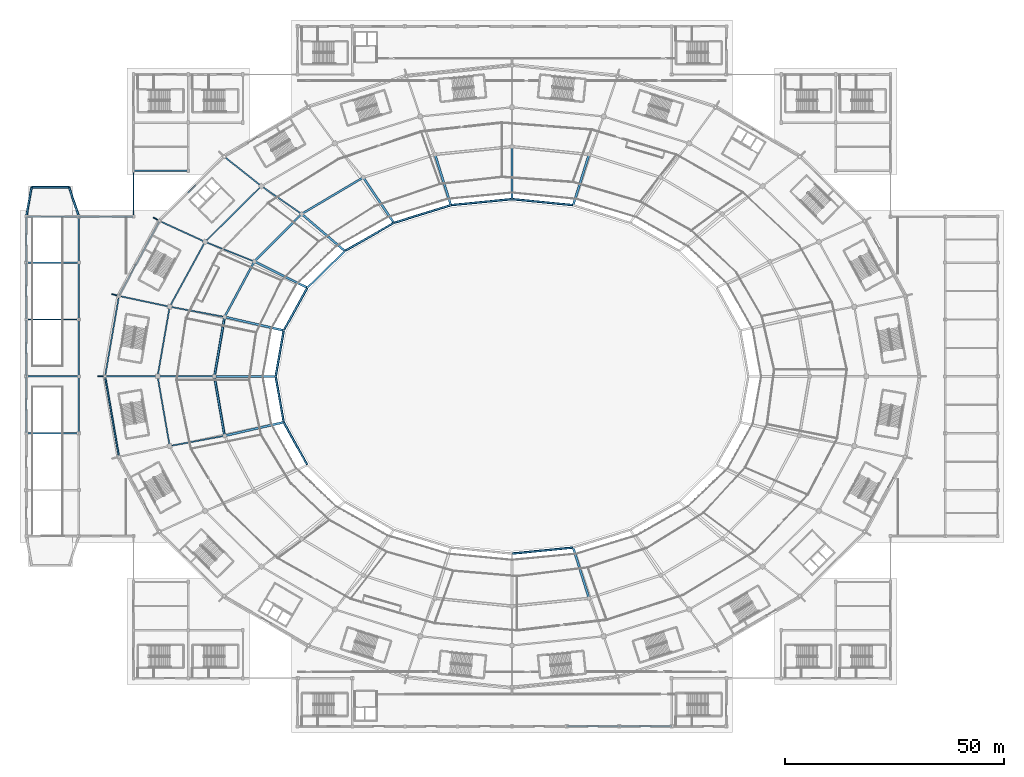
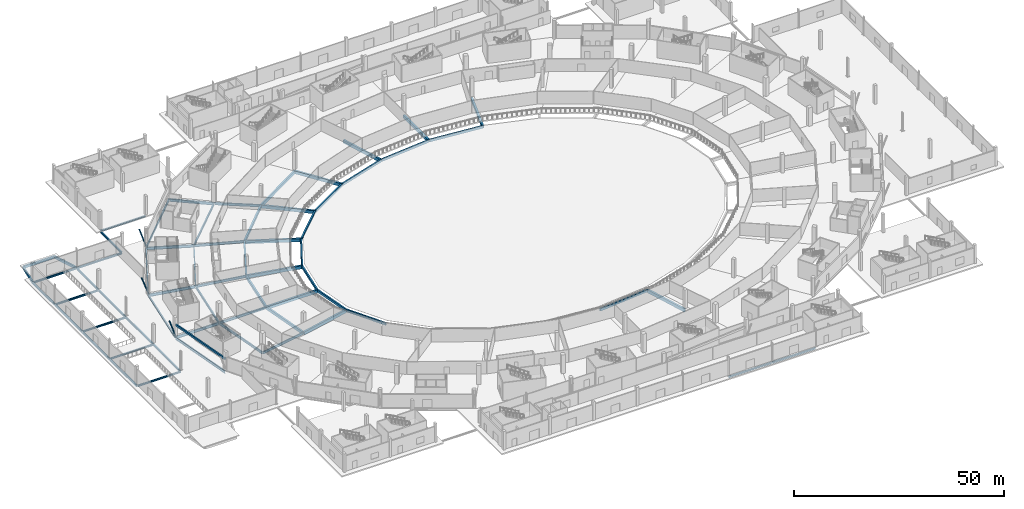
# One storey, part 24 of 82: 64 beams, 3 members.
"""IFC4 building model written with IfcOpenShell, lengths in metres."""

from ifc_helpers import new_model, si_unit, direction, frame, origin, origin_2d, place, context, subcontext, project, spatial, rectangle, hollow_circle, i_section, extrude, material, material_profile, profile_set, type_object, element, save


model = new_model("IFC4")

# Units and contexts
model_context = context("Model", 3, precision=1e-05, world=origin(), true_north=direction((0.0, 1.0)))
body_context = subcontext(model_context, "Body", "Model", "MODEL_VIEW")
ifc_project = project(units=[si_unit("LENGTHUNIT", "METRE"), si_unit("AREAUNIT", "SQUARE_METRE"), si_unit("VOLUMEUNIT", "CUBIC_METRE"), si_unit("PLANEANGLEUNIT", "RADIAN"), si_unit("MASSUNIT", "GRAM", prefix="KILO")], contexts=[model_context])

# Site, building, storey
site_placement = place(None, origin())
site = spatial("IfcSite", under=ifc_project, at=site_placement, CompositionType="ELEMENT")
building_placement = place(site_placement, origin())
building = spatial("IfcBuilding", under=site, at=building_placement, Name="Zlatoyarsky Gate Stadium", CompositionType="ELEMENT")
storey_placement = place(building_placement, origin())
storey = spatial("IfcBuildingStorey", under=building, at=storey_placement, Name="L00", CompositionType="ELEMENT", Elevation=0.0)

# Beams
ifc_material_1 = material(Name="Concrete C40/50", Category="concrete")
ifc_material_profile_1 = material_profile(ifc_material_1, rectangle(XDim=0.39990234375, YDim=0.699951171875, at=origin_2d()), Name="RC BEAM 400X700")
ifc_profile_set_1 = profile_set([ifc_material_profile_1], Name="Concrete C40/50")
beam_type_1 = type_object("IfcBeamType", Name="CONCRETE FLOOR BEAM 400X700", PredefinedType="BEAM", material=ifc_profile_set_1)
beam_1_placement = place(storey_placement, frame((1.199951171875, 123.199951171875, -0.590087890625), z_axis=(-0.176293394465, -0.984337665168, 0.0), x_axis=(0.984337665168, -0.176293394465, 0.0)))
element("IfcBeam", 1, at=beam_1_placement, inside=storey, type_object=beam_type_1, Name="Apron support beam BM-APR-N1", PredefinedType="BEAM", context=body_context, shape_type="SweptSolid", body=[
    extrude(rectangle(XDim=0.39990234375, YDim=0.699951171875, at=origin_2d()), origin(), (0.0, 0.0, 1.0), 6.806640625),
])
beam_2_placement = place(storey_placement, frame((9.800048828125, 123.199951171875, -0.590087890625), z_axis=(0.311966246218, -0.950093185546, 0.0), x_axis=(0.950093185546, 0.311966246218, 0.0)))
element("IfcBeam", 2, at=beam_2_placement, inside=storey, type_object=beam_type_1, Name="Apron support beam BM-APR-N2", PredefinedType="BEAM", context=body_context, shape_type="SweptSolid", body=[
    extrude(rectangle(XDim=0.39990234375, YDim=0.699951171875, at=origin_2d()), origin(), (0.0, 0.0, 1.0), 7.052001953125),
])
beam_3_placement = place(storey_placement, frame((1.199951171875, 123.199951171875, -0.590087890625), z_axis=(1.0, 0.0, 0.0), x_axis=(0.0, 1.0, 0.0)))
element("IfcBeam", 3, at=beam_3_placement, inside=storey, type_object=beam_type_1, Name="Apron support beam BM-APR-N12", PredefinedType="BEAM", context=body_context, shape_type="SweptSolid", body=[
    extrude(rectangle(XDim=0.39990234375, YDim=0.699951171875, at=origin_2d()), origin(), (0.0, 0.0, 1.0), 8.60009765625),
])
for number, where, z_axis, x_axis, name in (
    (4, (124.856689453125, 119.1318359375, -0.699951171875), (-0.995160395529, 0.098263865031, 0.0), (-0.098263865031, -0.995160395529, 0.0), "Beam B-RC70 BM-L00-CR0-05"),
    (5, (110.880615234375, 120.48828125, -0.699951171875), (-0.995160395529, -0.098263865031, 0.0), (0.098263865031, -0.995160395529, 0.0), "Beam B-RC70 BM-L00-CR0-06"),
):
    element("IfcBeam", number, at=place(storey_placement, frame(where, z_axis=z_axis, x_axis=x_axis)), inside=storey, type_object=beam_type_1, Name=name, PredefinedType="BEAM", context=body_context, shape_type="SweptSolid", body=[
        extrude(rectangle(XDim=0.39990234375, YDim=0.699951171875, at=origin_2d()), origin(), (0.0, 0.0, 1.0), 13.80419921875),
    ])
beam_4_placement = place(storey_placement, frame((96.9091796875, 119.08447265625, -0.699951171875), z_axis=(-0.954977648824, -0.29667775489, 0.0), x_axis=(0.29667775489, -0.954977648824, 0.0)))
element("IfcBeam", 6, at=beam_4_placement, inside=storey, type_object=beam_type_1, Name="Beam B-RC70 BM-L00-CR0-07", PredefinedType="BEAM", context=body_context, shape_type="SweptSolid", body=[
    extrude(rectangle(XDim=0.39990234375, YDim=0.699951171875, at=origin_2d()), origin(), (0.0, 0.0, 1.0), 13.39794921875),
])
beam_5_placement = place(storey_placement, frame((83.89599609375, 115.01416015625, -0.699951171875), z_axis=(-0.866725255288, -0.498785857704, 0.0), x_axis=(0.498785857704, -0.866725255288, 0.0)))
element("IfcBeam", 7, at=beam_5_placement, inside=storey, type_object=beam_type_1, Name="Beam B-RC70 BM-L00-CR0-08", PredefinedType="BEAM", context=body_context, shape_type="SweptSolid", body=[
    extrude(rectangle(XDim=0.39990234375, YDim=0.699951171875, at=origin_2d()), origin(), (0.0, 0.0, 1.0), 12.66357421875),
])
beam_6_placement = place(storey_placement, frame((72.73046875, 108.553955078125, -0.699951171875), z_axis=(-0.715146635204, -0.698974456011, 0.0), x_axis=(0.698974456011, -0.715146635204, 0.0)))
element("IfcBeam", 8, at=beam_6_placement, inside=storey, type_object=beam_type_1, Name="Beam B-RC70 BM-L00-CR0-09", PredefinedType="BEAM", context=body_context, shape_type="SweptSolid", body=[
    extrude(rectangle(XDim=0.39990234375, YDim=0.699951171875, at=origin_2d()), origin(), (0.0, 0.0, 1.0), 11.760009765625),
])
beam_7_placement = place(storey_placement, frame((64.176513671875, 100.14501953125, -0.699951171875), z_axis=(-0.483446740192, -0.875373776965, 0.0), x_axis=(0.875373776965, -0.483446740192, 0.0)))
element("IfcBeam", 9, at=beam_7_placement, inside=storey, type_object=beam_type_1, Name="Beam B-RC70 BM-L00-CR0-10", PredefinedType="BEAM", context=body_context, shape_type="SweptSolid", body=[
    extrude(rectangle(XDim=0.39990234375, YDim=0.699951171875, at=origin_2d()), origin(), (0.0, 0.0, 1.0), 10.918701171875),
])
for number, where, z_axis, x_axis, name in (
    (10, (58.8193359375, 90.364013671875, -0.699951171875), (-0.172898939935, -0.984939570009, 0.0), (0.984939570009, -0.172898939935, 0.0), "Beam B-RC70 BM-L00-CR0-11"),
    (11, (57.020751953125, 79.8818359375, -0.699951171875), (0.172898939935, -0.984939570009, 0.0), (0.984939570009, 0.172898939935, 0.0), "Beam B-RC70 BM-L00-CR0-12"),
):
    element("IfcBeam", number, at=place(storey_placement, frame(where, z_axis=z_axis, x_axis=x_axis)), inside=storey, type_object=beam_type_1, Name=name, PredefinedType="BEAM", context=body_context, shape_type="SweptSolid", body=[
        extrude(rectangle(XDim=0.39990234375, YDim=0.699951171875, at=origin_2d()), origin(), (0.0, 0.0, 1.0), 10.402587890625),
    ])
beam_8_placement = place(storey_placement, frame((58.89794921875, 69.412841796875, -0.699951171875), z_axis=(0.483446740192, -0.875373776965, 0.0), x_axis=(0.875373776965, 0.483446740192, 0.0)))
element("IfcBeam", 12, at=beam_8_placement, inside=storey, type_object=beam_type_1, Name="Beam B-RC70 BM-L00-CR0-13", PredefinedType="BEAM", context=body_context, shape_type="SweptSolid", body=[
    extrude(rectangle(XDim=0.39990234375, YDim=0.699951171875, at=origin_2d()), origin(), (0.0, 0.0, 1.0), 10.918701171875),
])
beam_9_placement = place(storey_placement, frame((111.119384765625, 39.51171875, -0.699951171875), z_axis=(0.995160395529, 0.098263865031, 0.0), x_axis=(-0.098263865031, 0.995160395529, 0.0)))
element("IfcBeam", 13, at=beam_9_placement, inside=storey, type_object=beam_type_1, Name="Beam B-RC70 BM-L00-CR0-18", PredefinedType="BEAM", context=body_context, shape_type="SweptSolid", body=[
    extrude(rectangle(XDim=0.39990234375, YDim=0.699951171875, at=origin_2d()), origin(), (0.0, 0.0, 1.0), 13.80419921875),
])
ifc_material_profile_2 = material_profile(ifc_material_1, rectangle(XDim=0.449951171875, YDim=0.800048828125, at=origin_2d()), Name="RC BEAM 450X800")
ifc_profile_set_2 = profile_set([ifc_material_profile_2], Name="Concrete C40/50")
beam_type_2 = type_object("IfcBeamType", Name="CONCRETE FLOOR BEAM 450X800", PredefinedType="BEAM", material=ifc_profile_set_2)
beam_10_placement = place(storey_placement, frame((76.896728515625, 125.405029296875, -0.75), z_axis=(-0.860360371321, -0.50968620882, 0.0), x_axis=(0.50968620882, -0.860360371321, 0.0)))
element("IfcBeam", 14, at=beam_10_placement, inside=storey, type_object=beam_type_2, Name="Beam B-RC80 BM-L00-CRA-08", PredefinedType="BEAM", context=body_context, shape_type="SweptSolid", body=[
    extrude(rectangle(XDim=0.449951171875, YDim=0.800048828125, at=origin_2d()), origin(), (0.0, 0.0, 1.0), 16.12890625),
])
beam_11_placement = place(storey_placement, frame((62.83203125, 117.0380859375, -0.75), z_axis=(-0.704927331607, -0.709279533861, 0.0), x_axis=(0.709279533861, -0.704927331607, 0.0)))
element("IfcBeam", 15, at=beam_11_placement, inside=storey, type_object=beam_type_2, Name="Beam B-RC80 BM-L00-CRA-09", PredefinedType="BEAM", context=body_context, shape_type="SweptSolid", body=[
    extrude(rectangle(XDim=0.449951171875, YDim=0.800048828125, at=origin_2d()), origin(), (0.0, 0.0, 1.0), 15.08984375),
])
beam_12_placement = place(storey_placement, frame((52.0537109375, 106.144287109375, -0.75), z_axis=(-0.472766984781, -0.881187481812, 0.0), x_axis=(0.881187481812, -0.472766984781, 0.0)))
element("IfcBeam", 16, at=beam_12_placement, inside=storey, type_object=beam_type_2, Name="Beam B-RC80 BM-L00-CRA-10", PredefinedType="BEAM", context=body_context, shape_type="SweptSolid", body=[
    extrude(rectangle(XDim=0.449951171875, YDim=0.800048828125, at=origin_2d()), origin(), (0.0, 0.0, 1.0), 14.12939453125),
])
for number, where, z_axis, x_axis, name in (
    (17, (45.296875, 93.4697265625, -0.75), (-0.168089694981, -0.985771705032, 0.0), (0.985771705032, -0.168089694981, 0.0), "Beam B-RC80 BM-L00-CRA-11"),
    (18, (43.020263671875, 79.881591796875, -0.75), (0.168089694981, -0.985771705032, 0.0), (0.985771705032, 0.168089694981, 0.0), "Beam B-RC80 BM-L00-CRA-12"),
):
    element("IfcBeam", number, at=place(storey_placement, frame(where, z_axis=z_axis, x_axis=x_axis)), inside=storey, type_object=beam_type_2, Name=name, PredefinedType="BEAM", context=body_context, shape_type="SweptSolid", body=[
        extrude(rectangle(XDim=0.449951171875, YDim=0.800048828125, at=origin_2d()), origin(), (0.0, 0.0, 1.0), 13.5439453125),
    ])
ifc_material_profile_3 = material_profile(ifc_material_1, rectangle(XDim=0.35009765625, YDim=0.550048828125, at=origin_2d()), Name="RC LINTEL 350X550")
ifc_profile_set_3 = profile_set([ifc_material_profile_3], Name="Concrete C40/50")
beam_type_3 = type_object("IfcBeamType", Name="CONCRETE OPENING LINTEL 350X550", PredefinedType="LINTEL", material=ifc_profile_set_3)
beam_13_placement = place(storey_placement, frame((18.0205078125, 79.881591796875, 3.125), z_axis=(0.169930456666, -0.985456056807, 0.0), x_axis=(0.985456056807, 0.169930456666, 0.0)))
element("IfcBeam", 19, at=beam_13_placement, inside=storey, type_object=beam_type_3, Name="Beam LN-RC55 BM-L00-LNT-12", PredefinedType="LINTEL", context=body_context, shape_type="SweptSolid", body=[
    extrude(rectangle(XDim=0.35009765625, YDim=0.550048828125, at=origin_2d()), origin(), (0.0, 0.0, 1.0), 18.4072265625),
])
ifc_material_profile_4 = material_profile(ifc_material_1, rectangle(XDim=0.5, YDim=0.89990234375, at=origin_2d()), Name="RC GIRDER 500X900")
ifc_profile_set_4 = profile_set([ifc_material_profile_4], Name="Concrete C40/50")
beam_type_4 = type_object("IfcBeamType", Name="CONCRETE PRIMARY GIRDER 500X900", PredefinedType="T_BEAM", material=ifc_profile_set_4)
beam_14_placement = place(storey_placement, frame((125.011962890625, 119.234619140625, -0.800048828125), z_axis=(0.298378920826, 0.954447494421, 0.0), x_axis=(-0.954447494421, 0.298378920826, 0.0)))
element("IfcBeam", 20, at=beam_14_placement, inside=storey, type_object=beam_type_4, Name="Beam G-RC90 BM-L00-R0A-05", PredefinedType="T_BEAM", context=body_context, shape_type="SweptSolid", body=[
    extrude(rectangle(XDim=0.5, YDim=0.89990234375, at=origin_2d()), origin(), (0.0, 0.0, 1.0), 11.904296875),
])
beam_15_placement = place(storey_placement, frame((111.0, 120.6201171875, -0.800048828125), z_axis=(0.0, 1.0, 0.0), x_axis=(-1.0, 0.0, 0.0)))
element("IfcBeam", 21, at=beam_15_placement, inside=storey, type_object=beam_type_4, Name="Beam G-RC90 BM-L00-R0A-06", PredefinedType="T_BEAM", context=body_context, shape_type="SweptSolid", body=[
    extrude(rectangle(XDim=0.5, YDim=0.89990234375, at=origin_2d()), origin(), (0.0, 0.0, 1.0), 11.759765625),
])
beam_16_placement = place(storey_placement, frame((96.988037109375, 119.234619140625, -0.800048828125), z_axis=(-0.298378920826, 0.954447494421, 0.0), x_axis=(-0.954447494421, -0.298378920826, 0.0)))
element("IfcBeam", 22, at=beam_16_placement, inside=storey, type_object=beam_type_4, Name="Beam G-RC90 BM-L00-R0A-07", PredefinedType="T_BEAM", context=body_context, shape_type="SweptSolid", body=[
    extrude(rectangle(XDim=0.5, YDim=0.89990234375, at=origin_2d()), origin(), (0.0, 0.0, 1.0), 11.904296875),
])
beam_17_placement = place(storey_placement, frame((83.93310546875, 115.173583984375, -0.800048828125), z_axis=(-0.558682096313, 0.829381887468, 0.0), x_axis=(-0.829381887468, -0.558682096313, 0.0)))
element("IfcBeam", 23, at=beam_17_placement, inside=storey, type_object=beam_type_4, Name="Beam G-RC90 BM-L00-R0A-08", PredefinedType="T_BEAM", context=body_context, shape_type="SweptSolid", body=[
    extrude(rectangle(XDim=0.5, YDim=0.89990234375, at=origin_2d()), origin(), (0.0, 0.0, 1.0), 12.2900390625),
])
beam_18_placement = place(storey_placement, frame((72.72509765625, 108.7158203125, -0.800048828125), z_axis=(-0.759256602365, 0.650791373456, 0.0), x_axis=(-0.650791373456, -0.759256602365, 0.0)))
element("IfcBeam", 24, at=beam_18_placement, inside=storey, type_object=beam_type_4, Name="Beam G-RC90 BM-L00-R0A-09", PredefinedType="T_BEAM", context=body_context, shape_type="SweptSolid", body=[
    extrude(rectangle(XDim=0.5, YDim=0.89990234375, at=origin_2d()), origin(), (0.0, 0.0, 1.0), 12.79833984375),
])
beam_19_placement = place(storey_placement, frame((64.126953125, 100.30322265625, -0.800048828125), z_axis=(-0.896253372987, 0.443542434734, 0.0), x_axis=(-0.443542434734, -0.896253372987, 0.0)))
element("IfcBeam", 25, at=beam_19_placement, inside=storey, type_object=beam_type_4, Name="Beam G-RC90 BM-L00-R0A-10", PredefinedType="T_BEAM", context=body_context, shape_type="SweptSolid", body=[
    extrude(rectangle(XDim=0.5, YDim=0.89990234375, at=origin_2d()), origin(), (0.0, 0.0, 1.0), 13.287353515625),
])
beam_20_placement = place(storey_placement, frame((58.722900390625, 90.509033203125, -0.800048828125), z_axis=(-0.974626051555, 0.223839361219, 0.0), x_axis=(-0.223839361219, -0.974626051555, 0.0)))
element("IfcBeam", 26, at=beam_20_placement, inside=storey, type_object=beam_type_4, Name="Beam G-RC90 BM-L00-R0A-11", PredefinedType="T_BEAM", context=body_context, shape_type="SweptSolid", body=[
    extrude(rectangle(XDim=0.5, YDim=0.89990234375, at=origin_2d()), origin(), (0.0, 0.0, 1.0), 13.634765625),
])
beam_21_placement = place(storey_placement, frame((56.8798828125, 80.0, -0.800048828125), z_axis=(-1.0, 0.0, 0.0), x_axis=(0.0, -1.0, 0.0)))
element("IfcBeam", 27, at=beam_21_placement, inside=storey, type_object=beam_type_4, Name="Beam G-RC90 BM-L00-R0A-12", PredefinedType="T_BEAM", context=body_context, shape_type="SweptSolid", body=[
    extrude(rectangle(XDim=0.5, YDim=0.89990234375, at=origin_2d()), origin(), (0.0, 0.0, 1.0), 13.759765625),
])
beam_22_placement = place(storey_placement, frame((58.722900390625, 69.490966796875, -0.800048828125), z_axis=(-0.974626051555, -0.223839361219, 0.0), x_axis=(0.223839361219, -0.974626051555, 0.0)))
element("IfcBeam", 28, at=beam_22_placement, inside=storey, type_object=beam_type_4, Name="Beam G-RC90 BM-L00-R0A-13", PredefinedType="T_BEAM", context=body_context, shape_type="SweptSolid", body=[
    extrude(rectangle(XDim=0.5, YDim=0.89990234375, at=origin_2d()), origin(), (0.0, 0.0, 1.0), 13.634765625),
])
beam_23_placement = place(storey_placement, frame((125.011962890625, 40.765380859375, -0.800048828125), z_axis=(0.298378920826, -0.954447494421, 0.0), x_axis=(0.954447494421, 0.298378920826, 0.0)))
element("IfcBeam", 29, at=beam_23_placement, inside=storey, type_object=beam_type_4, Name="Beam G-RC90 BM-L00-R0A-19", PredefinedType="T_BEAM", context=body_context, shape_type="SweptSolid", body=[
    extrude(rectangle(XDim=0.5, YDim=0.89990234375, at=origin_2d()), origin(), (0.0, 0.0, 1.0), 11.904296875),
])

# Members
ifc_material_2 = material(Name="Steel S355", Category="steel")
ifc_material_profile_5 = material_profile(ifc_material_2, hollow_circle(Radius=0.177734375, WallThickness=0.02001953125, at=origin_2d()), Name="CHS 355.6X20")
ifc_profile_set_5 = profile_set([ifc_material_profile_5], Name="Steel S355")
member_type = type_object("IfcMemberType", Name="STEEL LEANING RIB RING STRUT CHS 355.6X20", PredefinedType="STRUT", material=ifc_profile_set_5)
member_1_placement = place(storey_placement, frame((30.459716796875, 115.5, 0.0), z_axis=(-0.275179339945, 0.158857473848, 0.948177532886), x_axis=(-0.499958946799, -0.866049104564, 0.0)))
element("IfcMember", 30, at=member_1_placement, inside=storey, type_object=member_type, Name="Leaning ring strut 10 L00 to L01", PredefinedType="STRUT", context=body_context, shape_type="SweptSolid", body=[
    extrude(hollow_circle(Radius=0.177734375, WallThickness=0.02001953125, at=origin_2d()), origin(), (0.0, 0.0, 1.0), 5.0625),
])
member_2_placement = place(storey_placement, frame((21.1689453125, 98.376220703125, 0.0), z_axis=(-0.31638694049, 0.084764257312, 0.944835607167), x_axis=(-0.258786663494, -0.965934502333, 0.0)))
element("IfcMember", 31, at=member_2_placement, inside=storey, type_object=member_type, Name="Leaning ring strut 11 L00 to L01", PredefinedType="STRUT", context=body_context, shape_type="SweptSolid", body=[
    extrude(hollow_circle(Radius=0.177734375, WallThickness=0.02001953125, at=origin_2d()), origin(), (0.0, 0.0, 1.0), 4.910888671875),
])
member_3_placement = place(storey_placement, frame((18.0, 80.0, 0.0), z_axis=(-0.327525462718, 0.0, 0.944842352603), x_axis=(0.0, -1.0, 0.0)))
element("IfcMember", 32, at=member_3_placement, inside=storey, type_object=member_type, Name="Leaning ring strut 12 L00 to L01", PredefinedType="STRUT", context=body_context, shape_type="SweptSolid", body=[
    extrude(hollow_circle(Radius=0.177734375, WallThickness=0.02001953125, at=origin_2d()), origin(), (0.0, 0.0, 1.0), 4.91064453125),
])

# Beams
ifc_material_profile_6 = material_profile(ifc_material_2, i_section(OverallWidth=0.300048828125, OverallDepth=0.5, WebThickness=0.014404296875, FlangeThickness=0.028076171875, FilletRadius=0.027099609375, at=origin_2d()), Name="HEB 500")
ifc_profile_set_6 = profile_set([ifc_material_profile_6], Name="Steel S355")
beam_type_5 = type_object("IfcBeamType", Name="STEEL PRIMARY GIRDER HEB 500", PredefinedType="BEAM", material=ifc_profile_set_6)
for number, where, z_axis, x_axis, name in (
    (33, (0.080078125, 67.0, -0.60009765625), (1.0, 0.0, 0.0), (0.0, 1.0, 0.0), "Beam G-HEB500 BM-L00-WGX-1-G"),
    (34, (0.080078125, 80.0, -0.60009765625), (1.0, 0.0, 0.0), (0.0, 1.0, 0.0), "Beam G-HEB500 BM-L00-WGX-1-H"),
    (35, (0.080078125, 93.0, -0.60009765625), (1.0, 0.0, 0.0), (0.0, 1.0, 0.0), "Beam G-HEB500 BM-L00-WGX-1-J"),
    (36, (0.080078125, 106.0, -0.60009765625), (1.0, 0.0, 0.0), (0.0, 1.0, 0.0), "Beam G-HEB500 BM-L00-WGX-1-K"),
    (37, (0.080078125, 116.5, -0.60009765625), (1.0, 0.0, 0.0), (0.0, 1.0, 0.0), "Beam G-HEB500 BM-L00-WGX-1-L"),
    (38, (123.580078125, 0.0, -0.60009765625), (1.0, 0.0, 0.0), (0.0, 1.0, 0.0), "Beam G-HEB500 BM-L00-WGX-11-A"),
    (39, (135.580078125, 0.0, -0.60009765625), (1.0, 0.0, 0.0), (0.0, 1.0, 0.0), "Beam G-HEB500 BM-L00-WGX-12-A"),
):
    element("IfcBeam", number, at=place(storey_placement, frame(where, z_axis=z_axis, x_axis=x_axis)), inside=storey, type_object=beam_type_5, Name=name, PredefinedType="BEAM", context=body_context, shape_type="SweptSolid", body=[
        extrude(i_section(OverallWidth=0.300048828125, OverallDepth=0.5, WebThickness=0.014404296875, FlangeThickness=0.028076171875, FilletRadius=0.027099609375, at=origin_2d()), origin(), (0.0, 0.0, 1.0), 11.83984375),
    ])
for number, where, z_axis, x_axis, name in (
    (40, (12.080078125, 116.5, -0.60009765625), (1.0, 0.0, 0.0), (0.0, 1.0, 0.0), "Beam G-HEB500 BM-L00-WGX-2-L"),
    (41, (24.580078125, 127.0, -0.60009765625), (1.0, 0.0, 0.0), (0.0, 1.0, 0.0), "Beam G-HEB500 BM-L00-WGX-3-M"),
):
    element("IfcBeam", number, at=place(storey_placement, frame(where, z_axis=z_axis, x_axis=x_axis)), inside=storey, type_object=beam_type_5, Name=name, PredefinedType="BEAM", context=body_context, shape_type="SweptSolid", body=[
        extrude(i_section(OverallWidth=0.300048828125, OverallDepth=0.5, WebThickness=0.014404296875, FlangeThickness=0.028076171875, FilletRadius=0.027099609375, at=origin_2d()), origin(), (0.0, 0.0, 1.0), 12.33984375),
    ])
ifc_material_profile_7 = material_profile(ifc_material_2, i_section(OverallWidth=0.300048828125, OverallDepth=0.60009765625, WebThickness=0.015380859375, FlangeThickness=0.030029296875, FilletRadius=0.027099609375, at=origin_2d()), Name="HEB 600")
ifc_profile_set_7 = profile_set([ifc_material_profile_7], Name="Steel S355")
beam_type_6 = type_object("IfcBeamType", Name="STEEL PRIMARY GIRDER HEB 600", PredefinedType="BEAM", material=ifc_profile_set_7)
beam_24_placement = place(storey_placement, frame((45.154052734375, 130.1201171875, -0.64990234375), z_axis=(-0.708899260134, -0.705309746835, 0.0), x_axis=(0.705309746835, -0.708899260134, 0.0)))
element("IfcBeam", 42, at=beam_24_placement, inside=storey, type_object=beam_type_6, Name="Beam G-HEB600 BM-L00-CRC-09", PredefinedType="BEAM", context=body_context, shape_type="SweptSolid", body=[
    extrude(i_section(OverallWidth=0.300048828125, OverallDepth=0.60009765625, WebThickness=0.015380859375, FlangeThickness=0.030029296875, FilletRadius=0.027099609375, at=origin_2d()), origin(), (0.0, 0.0, 1.0), 20.608642578125),
])
beam_25_placement = place(storey_placement, frame((30.40234375, 115.39453125, -0.64990234375), z_axis=(-0.476891650323, -0.878962088973, 0.0), x_axis=(0.878962088973, -0.476891650323, 0.0)))
element("IfcBeam", 43, at=beam_25_placement, inside=storey, type_object=beam_type_6, Name="Beam G-HEB600 BM-L00-CRC-10", PredefinedType="BEAM", context=body_context, shape_type="SweptSolid", body=[
    extrude(i_section(OverallWidth=0.300048828125, OverallDepth=0.60009765625, WebThickness=0.015380859375, FlangeThickness=0.030029296875, FilletRadius=0.027099609375, at=origin_2d()), origin(), (0.0, 0.0, 1.0), 19.241943359375),
])
beam_26_placement = place(storey_placement, frame((21.1484375, 98.2578125, -0.64990234375), z_axis=(-0.169930456666, -0.985456056807, 0.0), x_axis=(0.985456056807, -0.169930456666, 0.0)))
element("IfcBeam", 44, at=beam_26_placement, inside=storey, type_object=beam_type_6, Name="Beam G-HEB600 BM-L00-CRC-11", PredefinedType="BEAM", context=body_context, shape_type="SweptSolid", body=[
    extrude(i_section(OverallWidth=0.300048828125, OverallDepth=0.60009765625, WebThickness=0.015380859375, FlangeThickness=0.030029296875, FilletRadius=0.027099609375, at=origin_2d()), origin(), (0.0, 0.0, 1.0), 18.4072265625),
])
for number, where, z_axis, x_axis, name in (
    (45, (0.0, 67.080078125, -0.64990234375), (0.0, 1.0, 0.0), (-1.0, 0.0, 0.0), "Beam G-HEB600 BM-L00-WGY-1-G"),
    (46, (0.0, 80.080078125, -0.64990234375), (0.0, 1.0, 0.0), (-1.0, 0.0, 0.0), "Beam G-HEB600 BM-L00-WGY-1-H"),
    (47, (0.0, 93.080078125, -0.64990234375), (0.0, 1.0, 0.0), (-1.0, 0.0, 0.0), "Beam G-HEB600 BM-L00-WGY-1-J"),
):
    element("IfcBeam", number, at=place(storey_placement, frame(where, z_axis=z_axis, x_axis=x_axis)), inside=storey, type_object=beam_type_6, Name=name, PredefinedType="BEAM", context=body_context, shape_type="SweptSolid", body=[
        extrude(i_section(OverallWidth=0.300048828125, OverallDepth=0.60009765625, WebThickness=0.015380859375, FlangeThickness=0.030029296875, FilletRadius=0.027099609375, at=origin_2d()), origin(), (0.0, 0.0, 1.0), 12.83984375),
    ])
beam_27_placement = place(storey_placement, frame((0.0, 106.080078125, -0.64990234375), z_axis=(0.0, 1.0, 0.0), x_axis=(-1.0, 0.0, 0.0)))
element("IfcBeam", 48, at=beam_27_placement, inside=storey, type_object=beam_type_6, Name="Beam G-HEB600 BM-L00-WGY-1-K", PredefinedType="BEAM", context=body_context, shape_type="SweptSolid", body=[
    extrude(i_section(OverallWidth=0.300048828125, OverallDepth=0.60009765625, WebThickness=0.015380859375, FlangeThickness=0.030029296875, FilletRadius=0.027099609375, at=origin_2d()), origin(), (0.0, 0.0, 1.0), 10.33984375),
])
for number, where, z_axis, x_axis, name in (
    (49, (12.0, 67.080078125, -0.64990234375), (0.0, 1.0, 0.0), (-1.0, 0.0, 0.0), "Beam G-HEB600 BM-L00-WGY-2-G"),
    (50, (12.0, 80.080078125, -0.64990234375), (0.0, 1.0, 0.0), (-1.0, 0.0, 0.0), "Beam G-HEB600 BM-L00-WGY-2-H"),
    (51, (12.0, 93.080078125, -0.64990234375), (0.0, 1.0, 0.0), (-1.0, 0.0, 0.0), "Beam G-HEB600 BM-L00-WGY-2-J"),
):
    element("IfcBeam", number, at=place(storey_placement, frame(where, z_axis=z_axis, x_axis=x_axis)), inside=storey, type_object=beam_type_6, Name=name, PredefinedType="BEAM", context=body_context, shape_type="SweptSolid", body=[
        extrude(i_section(OverallWidth=0.300048828125, OverallDepth=0.60009765625, WebThickness=0.015380859375, FlangeThickness=0.030029296875, FilletRadius=0.027099609375, at=origin_2d()), origin(), (0.0, 0.0, 1.0), 12.83984375),
    ])
for number, where, z_axis, x_axis, name in (
    (52, (12.0, 106.080078125, -0.64990234375), (0.0, 1.0, 0.0), (-1.0, 0.0, 0.0), "Beam G-HEB600 BM-L00-WGY-2-K"),
    (53, (24.5, 116.580078125, -0.64990234375), (0.0, 1.0, 0.0), (-1.0, 0.0, 0.0), "Beam G-HEB600 BM-L00-WGY-3-L"),
):
    element("IfcBeam", number, at=place(storey_placement, frame(where, z_axis=z_axis, x_axis=x_axis)), inside=storey, type_object=beam_type_6, Name=name, PredefinedType="BEAM", context=body_context, shape_type="SweptSolid", body=[
        extrude(i_section(OverallWidth=0.300048828125, OverallDepth=0.60009765625, WebThickness=0.015380859375, FlangeThickness=0.030029296875, FilletRadius=0.027099609375, at=origin_2d()), origin(), (0.0, 0.0, 1.0), 10.33984375),
    ])
ifc_material_profile_8 = material_profile(ifc_material_2, i_section(OverallWidth=0.300048828125, OverallDepth=0.699951171875, WebThickness=0.01708984375, FlangeThickness=0.031982421875, FilletRadius=0.027099609375, at=origin_2d()), Name="HEB 700")
ifc_profile_set_8 = profile_set([ifc_material_profile_8], Name="Steel S355")
beam_type_7 = type_object("IfcBeamType", Name="STEEL PRIMARY GIRDER HEB 700", PredefinedType="BEAM", material=ifc_profile_set_8)
beam_28_placement = place(storey_placement, frame((62.818115234375, 117.19140625, -0.699951171875), z_axis=(-0.822196208432, 0.569204176758, 0.0), x_axis=(-0.569204176758, -0.822196208432, 0.0)))
element("IfcBeam", 54, at=beam_28_placement, inside=storey, type_object=beam_type_7, Name="Beam G-HEB700 BM-L00-RAB-09", PredefinedType="BEAM", context=body_context, shape_type="SweptSolid", body=[
    extrude(i_section(OverallWidth=0.300048828125, OverallDepth=0.699951171875, WebThickness=0.01708984375, FlangeThickness=0.031982421875, FilletRadius=0.027099609375, at=origin_2d()), origin(), (0.0, 0.0, 1.0), 10.9404296875),
])
beam_29_placement = place(storey_placement, frame((53.63916015625, 123.402587890625, -0.699951171875), z_axis=(-0.710840510009, -0.703353232259, 0.0), x_axis=(0.703353232259, -0.710840510009, 0.0)))
element("IfcBeam", 55, at=beam_29_placement, inside=storey, type_object=beam_type_7, Name="Beam G-HEB700 BM-L00-CRB-09", PredefinedType="BEAM", context=body_context, shape_type="SweptSolid", body=[
    extrude(i_section(OverallWidth=0.300048828125, OverallDepth=0.699951171875, WebThickness=0.01708984375, FlangeThickness=0.031982421875, FilletRadius=0.027099609375, at=origin_2d()), origin(), (0.0, 0.0, 1.0), 17.868896484375),
])
beam_30_placement = place(storey_placement, frame((51.998779296875, 106.29443359375, -0.699951171875), z_axis=(-0.928564503985, 0.371171068295, 0.0), x_axis=(-0.371171068295, -0.928564503985, 0.0)))
element("IfcBeam", 56, at=beam_30_placement, inside=storey, type_object=beam_type_7, Name="Beam G-HEB700 BM-L00-RAB-10", PredefinedType="BEAM", context=body_context, shape_type="SweptSolid", body=[
    extrude(i_section(OverallWidth=0.300048828125, OverallDepth=0.699951171875, WebThickness=0.01708984375, FlangeThickness=0.031982421875, FilletRadius=0.027099609375, at=origin_2d()), origin(), (0.0, 0.0, 1.0), 11.88427734375),
])
beam_31_placement = place(storey_placement, frame((40.79443359375, 110.644775390625, -0.699951171875), z_axis=(-0.478915800408, -0.877860840976, 0.0), x_axis=(0.877860840976, -0.478915800408, 0.0)))
element("IfcBeam", 57, at=beam_31_placement, inside=storey, type_object=beam_type_7, Name="Beam G-HEB700 BM-L00-CRB-10", PredefinedType="BEAM", context=body_context, shape_type="SweptSolid", body=[
    extrude(i_section(OverallWidth=0.300048828125, OverallDepth=0.699951171875, WebThickness=0.01708984375, FlangeThickness=0.031982421875, FilletRadius=0.027099609375, at=origin_2d()), origin(), (0.0, 0.0, 1.0), 16.656494140625),
])
beam_32_placement = place(storey_placement, frame((45.198974609375, 93.60986328125, -0.699951171875), z_axis=(-0.98322524088, 0.182395519946, 0.0), x_axis=(-0.182395519946, -0.98322524088, 0.0)))
element("IfcBeam", 58, at=beam_32_placement, inside=storey, type_object=beam_type_7, Name="Beam G-HEB700 BM-L00-RAB-11", PredefinedType="BEAM", context=body_context, shape_type="SweptSolid", body=[
    extrude(i_section(OverallWidth=0.300048828125, OverallDepth=0.699951171875, WebThickness=0.01708984375, FlangeThickness=0.031982421875, FilletRadius=0.027099609375, at=origin_2d()), origin(), (0.0, 0.0, 1.0), 12.53125),
])
beam_33_placement = place(storey_placement, frame((32.739501953125, 95.79931640625, -0.699951171875), z_axis=(-0.170843315562, -0.985298209441, 0.0), x_axis=(0.985298209441, -0.170843315562, 0.0)))
element("IfcBeam", 59, at=beam_33_placement, inside=storey, type_object=beam_type_7, Name="Beam G-HEB700 BM-L00-CRB-11", PredefinedType="BEAM", context=body_context, shape_type="SweptSolid", body=[
    extrude(i_section(OverallWidth=0.300048828125, OverallDepth=0.699951171875, WebThickness=0.01708984375, FlangeThickness=0.031982421875, FilletRadius=0.027099609375, at=origin_2d()), origin(), (0.0, 0.0, 1.0), 15.9150390625),
])
beam_34_placement = place(storey_placement, frame((42.8798828125, 80.0, -0.699951171875), z_axis=(-1.0, 0.0, 0.0), x_axis=(0.0, -1.0, 0.0)))
element("IfcBeam", 60, at=beam_34_placement, inside=storey, type_object=beam_type_7, Name="Beam G-HEB700 BM-L00-RAB-12", PredefinedType="BEAM", context=body_context, shape_type="SweptSolid", body=[
    extrude(i_section(OverallWidth=0.300048828125, OverallDepth=0.699951171875, WebThickness=0.01708984375, FlangeThickness=0.031982421875, FilletRadius=0.027099609375, at=origin_2d()), origin(), (0.0, 0.0, 1.0), 12.759765625),
])
beam_35_placement = place(storey_placement, frame((30.0205078125, 79.8818359375, -0.699951171875), z_axis=(0.170843315562, -0.985298209441, 0.0), x_axis=(0.985298209441, 0.170843315562, 0.0)))
element("IfcBeam", 61, at=beam_35_placement, inside=storey, type_object=beam_type_7, Name="Beam G-HEB700 BM-L00-CRB-12", PredefinedType="BEAM", context=body_context, shape_type="SweptSolid", body=[
    extrude(i_section(OverallWidth=0.300048828125, OverallDepth=0.699951171875, WebThickness=0.01708984375, FlangeThickness=0.031982421875, FilletRadius=0.027099609375, at=origin_2d()), origin(), (0.0, 0.0, 1.0), 15.9150390625),
])
beam_36_placement = place(storey_placement, frame((45.198974609375, 66.39013671875, -0.699951171875), z_axis=(-0.98322524088, -0.182395519946, 0.0), x_axis=(0.182395519946, -0.98322524088, 0.0)))
element("IfcBeam", 62, at=beam_36_placement, inside=storey, type_object=beam_type_7, Name="Beam G-HEB700 BM-L00-RAB-13", PredefinedType="BEAM", context=body_context, shape_type="SweptSolid", body=[
    extrude(i_section(OverallWidth=0.300048828125, OverallDepth=0.699951171875, WebThickness=0.01708984375, FlangeThickness=0.031982421875, FilletRadius=0.027099609375, at=origin_2d()), origin(), (0.0, 0.0, 1.0), 12.53125),
])
ifc_material_profile_9 = material_profile(ifc_material_2, i_section(OverallWidth=0.300048828125, OverallDepth=0.800048828125, WebThickness=0.017578125, FlangeThickness=0.032958984375, FilletRadius=0.030029296875, at=origin_2d()), Name="HEB 800")
ifc_profile_set_9 = profile_set([ifc_material_profile_9], Name="Steel S355")
beam_type_8 = type_object("IfcBeamType", Name="STEEL PRIMARY GIRDER HEB 800", PredefinedType="BEAM", material=ifc_profile_set_9)
beam_37_placement = place(storey_placement, frame((53.63037109375, 123.5615234375, -0.75), z_axis=(-0.78404348542, 0.620705898933, 0.0), x_axis=(-0.620705898933, -0.78404348542, 0.0)))
element("IfcBeam", 63, at=beam_37_placement, inside=storey, type_object=beam_type_8, Name="Beam G-HEB800 BM-L00-RBC-09", PredefinedType="BEAM", context=body_context, shape_type="SweptSolid", body=[
    extrude(i_section(OverallWidth=0.300048828125, OverallDepth=0.800048828125, WebThickness=0.017578125, FlangeThickness=0.032958984375, FilletRadius=0.030029296875, at=origin_2d()), origin(), (0.0, 0.0, 1.0), 10.58251953125),
])
beam_38_placement = place(storey_placement, frame((40.742919921875, 110.7998046875, -0.75), z_axis=(-0.909498994842, 0.415706120213, 0.0), x_axis=(-0.415706120213, -0.909498994842, 0.0)))
element("IfcBeam", 64, at=beam_38_placement, inside=storey, type_object=beam_type_8, Name="Beam G-HEB800 BM-L00-RBC-10", PredefinedType="BEAM", context=body_context, shape_type="SweptSolid", body=[
    extrude(i_section(OverallWidth=0.300048828125, OverallDepth=0.800048828125, WebThickness=0.017578125, FlangeThickness=0.032958984375, FilletRadius=0.030029296875, at=origin_2d()), origin(), (0.0, 0.0, 1.0), 11.186767578125),
])
beam_39_placement = place(storey_placement, frame((32.642578125, 95.9423828125, -0.75), z_axis=(-0.978233348926, 0.207507867438, 0.0), x_axis=(-0.207507867438, -0.978233348926, 0.0)))
element("IfcBeam", 65, at=beam_39_placement, inside=storey, type_object=beam_type_8, Name="Beam G-HEB800 BM-L00-RBC-11", PredefinedType="BEAM", context=body_context, shape_type="SweptSolid", body=[
    extrude(i_section(OverallWidth=0.300048828125, OverallDepth=0.800048828125, WebThickness=0.017578125, FlangeThickness=0.032958984375, FilletRadius=0.030029296875, at=origin_2d()), origin(), (0.0, 0.0, 1.0), 11.60888671875),
])
beam_40_placement = place(storey_placement, frame((29.8798828125, 80.0, -0.75), z_axis=(-1.0, 0.0, 0.0), x_axis=(0.0, -1.0, 0.0)))
element("IfcBeam", 66, at=beam_40_placement, inside=storey, type_object=beam_type_8, Name="Beam G-HEB800 BM-L00-RBC-12", PredefinedType="BEAM", context=body_context, shape_type="SweptSolid", body=[
    extrude(i_section(OverallWidth=0.300048828125, OverallDepth=0.800048828125, WebThickness=0.017578125, FlangeThickness=0.032958984375, FilletRadius=0.030029296875, at=origin_2d()), origin(), (0.0, 0.0, 1.0), 11.759765625),
])
beam_41_placement = place(storey_placement, frame((18.0205078125, 79.881591796875, -0.75), z_axis=(0.169930456666, -0.985456056807, 0.0), x_axis=(0.985456056807, 0.169930456666, 0.0)))
element("IfcBeam", 67, at=beam_41_placement, inside=storey, type_object=beam_type_8, Name="Beam G-HEB800 BM-L00-CRC-12", PredefinedType="BEAM", context=body_context, shape_type="SweptSolid", body=[
    extrude(i_section(OverallWidth=0.300048828125, OverallDepth=0.800048828125, WebThickness=0.017578125, FlangeThickness=0.032958984375, FilletRadius=0.030029296875, at=origin_2d()), origin(), (0.0, 0.0, 1.0), 18.4072265625),
])

save(model, "model.ifc")
